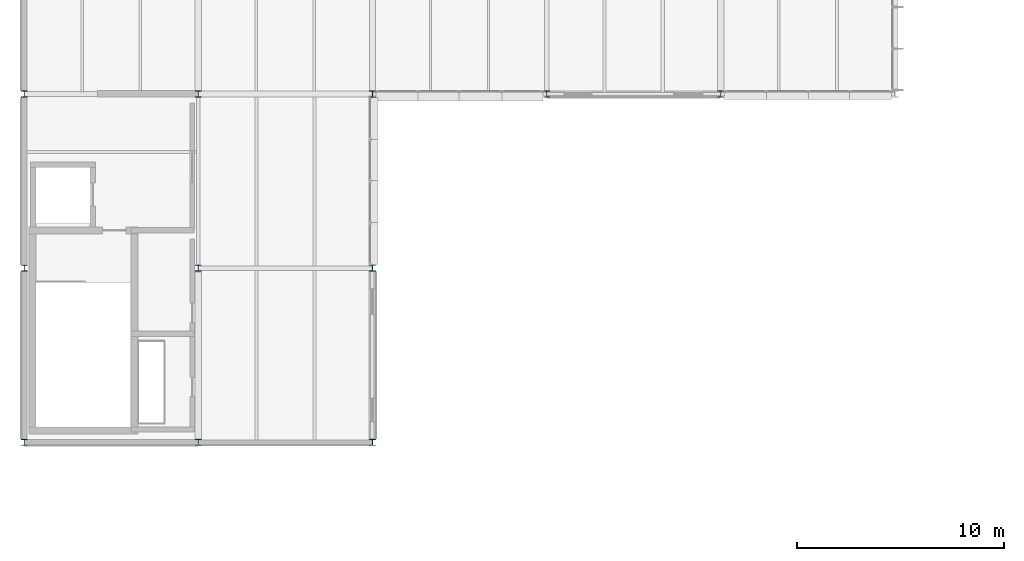
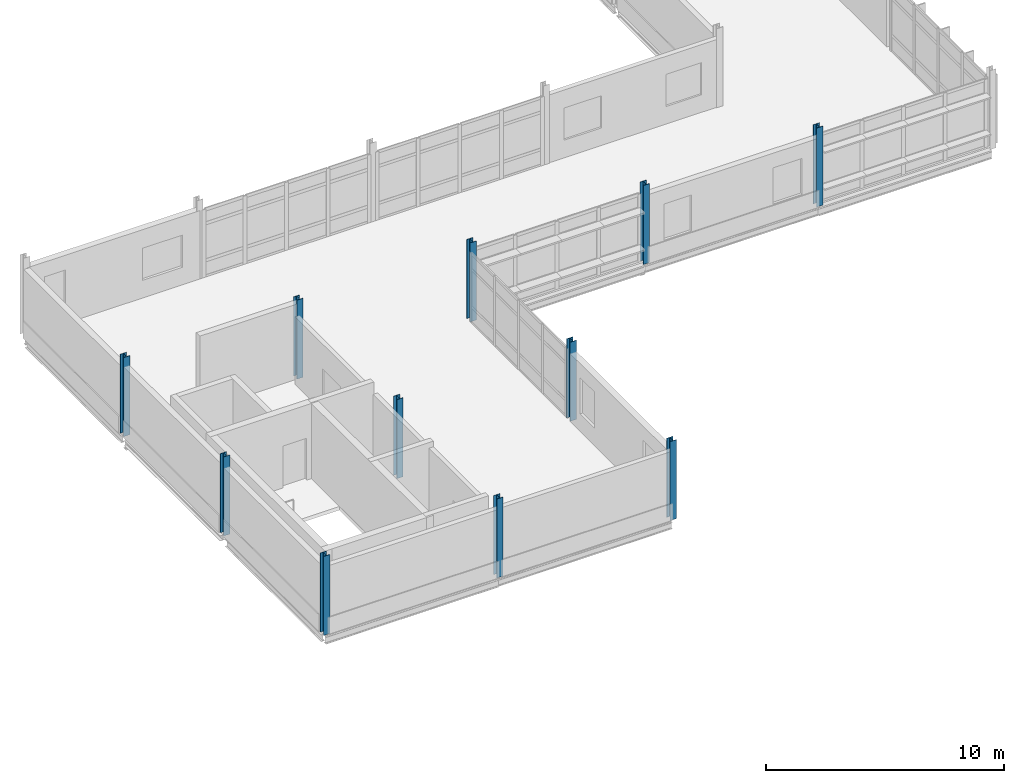
# One storey, part 3 of 103: 11 columns.
"""IFC4 building model written with IfcOpenShell, lengths in metres."""

from ifc_helpers import new_model, si_unit, direction, frame, origin, origin_2d, place, context, subcontext, project, spatial, i_section, extrude, material, material_profile, profile_set, type_object, element, save


model = new_model("IFC4")

# Units and contexts
model_context = context("Model", 3, precision=1e-05, world=origin(), true_north=direction((0.0, 1.0)))
body_context = subcontext(model_context, "Body", "Model", "MODEL_VIEW")
ifc_project = project(units=[si_unit("LENGTHUNIT", "METRE"), si_unit("AREAUNIT", "SQUARE_METRE"), si_unit("VOLUMEUNIT", "CUBIC_METRE"), si_unit("PLANEANGLEUNIT", "RADIAN"), si_unit("MASSUNIT", "GRAM", prefix="KILO")], contexts=[model_context])

# Site, building, storey
site_placement = place(None, origin())
site = spatial("IfcSite", under=ifc_project, at=site_placement, CompositionType="ELEMENT")
building_placement = place(site_placement, origin())
building = spatial("IfcBuilding", under=site, at=building_placement, Name="Mersafa Astral City Hall", CompositionType="ELEMENT")
storey_placement = place(building_placement, frame((0.0, 0.0, 18.0)))
storey = spatial("IfcBuildingStorey", under=building, at=storey_placement, Name="L04", CompositionType="ELEMENT", Elevation=18.0)

# Columns
ifc_material = material(Name="Steel S355", Category="steel")
ifc_material_profile = material_profile(ifc_material, i_section(OverallWidth=0.300048828125, OverallDepth=0.300048828125, WebThickness=0.010986328125, FlangeThickness=0.01904296875, FilletRadius=0.027099609375, at=origin_2d()), Name="HEB 300")
ifc_profile_set = profile_set([ifc_material_profile], Name="Steel S355")
column_type = type_object("IfcColumnType", Name="STR-COL-HEB300", PredefinedType="COLUMN", material=ifc_profile_set)
for number, where, z_axis, x_axis, name in (
    (1, (8.39990234375, 75.60009765625, 0.0), (0.0, 0.0, 1.0), (1.0, 0.0, 0.0), "L04 Structural column G-01-09"),
    (2, (8.39990234375, 84.0, 0.0), (0.0, 0.0, 1.0), (1.0, 0.0, 0.0), "L04 Structural column G-01-10"),
    (3, (8.39990234375, 92.39990234375, 0.0), (0.0, 0.0, 1.0), (1.0, 0.0, 0.0), "L04 Structural column G-01-11"),
    (4, (16.800048828125, 75.60009765625, 0.0), (0.0, 0.0, 1.0), (1.0, 0.0, 0.0), "L04 Structural column G-02-09"),
    (5, (16.800048828125, 84.0, 0.0), (0.0, 0.0, 1.0), (1.0, 0.0, 0.0), "L04 Structural column G-02-10"),
    (6, (16.800048828125, 92.39990234375, 0.0), (0.0, 0.0, 1.0), (1.0, 0.0, 0.0), "L04 Structural column G-02-11"),
    (7, (25.199951171875, 75.60009765625, 0.0), (0.0, 0.0, 1.0), (1.0, 0.0, 0.0), "L04 Structural column G-03-09"),
    (8, (25.199951171875, 84.0, 0.0), (0.0, 0.0, 1.0), (1.0, 0.0, 0.0), "L04 Structural column G-03-10"),
    (9, (25.199951171875, 92.39990234375, 0.0), (0.0, 0.0, 1.0), (1.0, 0.0, 0.0), "L04 Structural column G-03-11"),
    (10, (33.60009765625, 92.39990234375, 0.0), (0.0, 0.0, 1.0), (1.0, 0.0, 0.0), "L04 Structural column G-04-11"),
    (11, (42.0, 92.39990234375, 0.0), (0.0, 0.0, 1.0), (1.0, 0.0, 0.0), "L04 Structural column G-05-11"),
):
    element("IfcColumn", number, at=place(storey_placement, frame(where, z_axis=z_axis, x_axis=x_axis)), inside=storey, type_object=column_type, Name=name, PredefinedType="COLUMN", context=body_context, shape_type="SweptSolid", body=[
        extrude(i_section(OverallWidth=0.300048828125, OverallDepth=0.300048828125, WebThickness=0.010986328125, FlangeThickness=0.01904296875, FilletRadius=0.027099609375, at=origin_2d()), origin(), (0.0, 0.0, 1.0), 4.050048828125),
    ])

save(model, "model.ifc")
